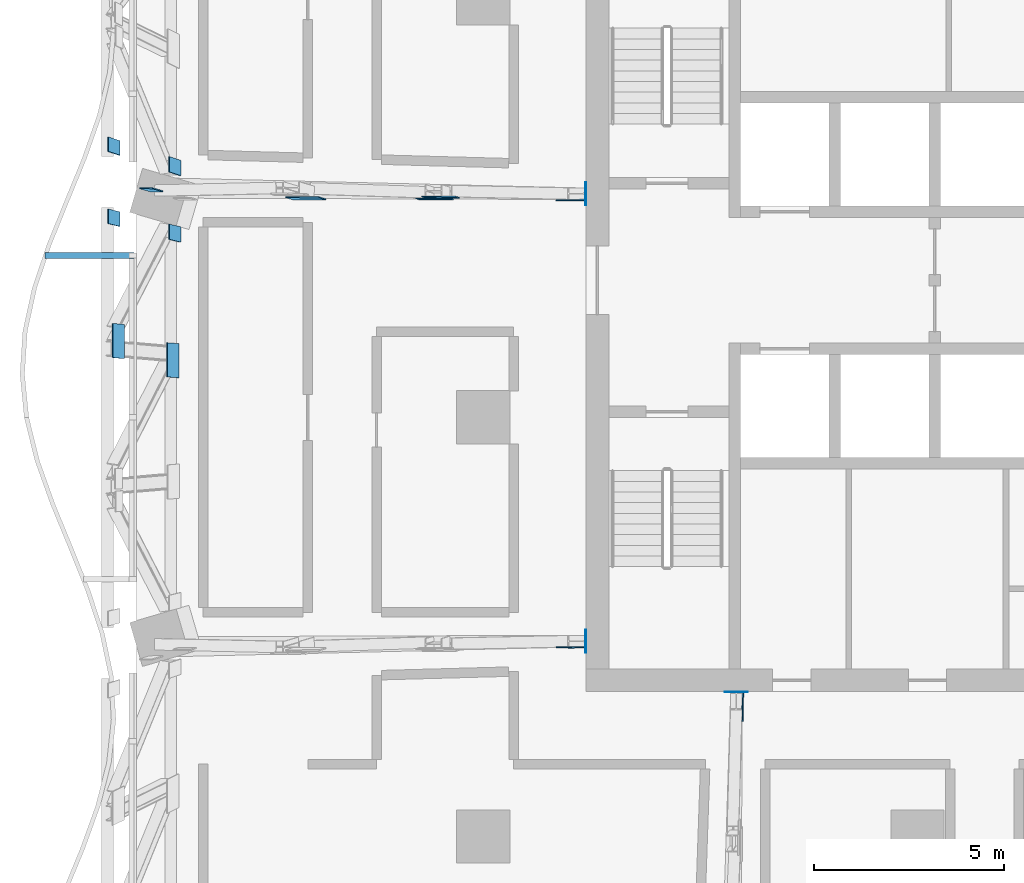
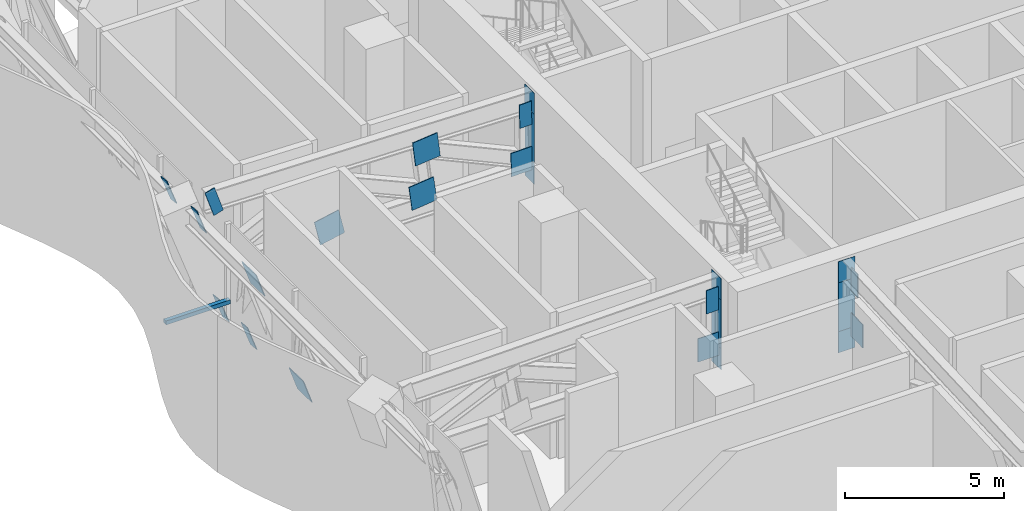
# One storey, part 13 of 26: 26 discrete accessories.
"""IFC4 building model written with IfcOpenShell, lengths in metres."""

from ifc_helpers import new_model, si_unit, direction, frame, origin, origin_2d, place, context, subcontext, project, spatial, rectangle, extrude, material, layer, layer_set, type_object, element, save


model = new_model("IFC4")

# Units and contexts
model_context = context("Model", 3, precision=1e-05, world=origin(), true_north=direction((0.0, 1.0)))
body_context = subcontext(model_context, "Body", "Model", "MODEL_VIEW")
ifc_project = project(units=[si_unit("LENGTHUNIT", "METRE"), si_unit("AREAUNIT", "SQUARE_METRE"), si_unit("VOLUMEUNIT", "CUBIC_METRE"), si_unit("PLANEANGLEUNIT", "RADIAN"), si_unit("MASSUNIT", "GRAM", prefix="KILO")], contexts=[model_context])

# Site, building, storey
site_placement = place(None, origin())
site = spatial("IfcSite", under=ifc_project, at=site_placement, CompositionType="ELEMENT")
building_placement = place(site_placement, origin())
building = spatial("IfcBuilding", under=site, at=building_placement, Name="Mopane Tessera Tower", CompositionType="ELEMENT")
storey_placement = place(building_placement, frame((0.0, 0.0, 205.0)))
storey = spatial("IfcBuildingStorey", under=building, at=storey_placement, Name="L43", CompositionType="ELEMENT", Elevation=205.0)

# Discrete accessories
ifc_material_1 = material(Name="Structural steel S460", Category="steel")
ifc_layer_1 = layer(ifc_material_1, 0.014892578125)
ifc_layer_set_1 = layer_set([ifc_layer_1], Name="Structural steel S460")
discrete_accessory_type_1 = type_object("IfcDiscreteAccessoryType", Name="Cast-in anchor plate 15 mm", PredefinedType="ANCHORPLATE", material=ifc_layer_set_1)
discrete_accessory_1_placement = place(storey_placement, frame((-14.407470703125, 5.870849609375, 2.10009765625), z_axis=(0.0, 0.0, 1.0), x_axis=(-1.0, 0.0, 0.0)))
element("IfcDiscreteAccessory", 1, at=discrete_accessory_1_placement, inside=storey, type_object=discrete_accessory_type_1, Name="Cast-in anchor plate s ot L43 W1 b", PredefinedType="ANCHORPLATE", context=body_context, shape_type="SweptSolid", body=[
    extrude(rectangle(XDim=0.014892578125, YDim=0.60302734375, at=origin_2d()), origin(), (0.0, 0.0, 1.0), 0.81396484375),
])
discrete_accessory_2_placement = place(storey_placement, frame((-14.407470703125, 5.871337890625, 4.785888671875), z_axis=(0.0, 0.0, 1.0), x_axis=(-1.0, 0.0, 0.0)))
element("IfcDiscreteAccessory", 2, at=discrete_accessory_2_placement, inside=storey, type_object=discrete_accessory_type_1, Name="Cast-in anchor plate s ot L43 W1 t", PredefinedType="ANCHORPLATE", context=body_context, shape_type="SweptSolid", body=[
    extrude(rectangle(XDim=0.014892578125, YDim=0.60302734375, at=origin_2d()), origin(), (0.0, 0.0, 1.0), 0.814208984375),
])
discrete_accessory_3_placement = place(storey_placement, frame((-14.407470703125, 5.87109375, 2.9140625), z_axis=(0.0, 0.0, 1.0), x_axis=(-1.0, 0.0, 0.0)))
element("IfcDiscreteAccessory", 3, at=discrete_accessory_3_placement, inside=storey, type_object=discrete_accessory_type_1, Name="Cast-in anchor plate s ot L43 W1 p", PredefinedType="ANCHORPLATE", context=body_context, shape_type="SweptSolid", body=[
    extrude(rectangle(XDim=0.014892578125, YDim=0.60302734375, at=origin_2d()), origin(), (0.0, 0.0, 1.0), 1.871826171875),
])
discrete_accessory_4_placement = place(storey_placement, frame((-14.407470703125, -5.870849609375, 2.10009765625), z_axis=(0.0, 0.0, 1.0), x_axis=(-1.0, 0.0, 0.0)))
element("IfcDiscreteAccessory", 4, at=discrete_accessory_4_placement, inside=storey, type_object=discrete_accessory_type_1, Name="Cast-in anchor plate s ot L43 W2 b", PredefinedType="ANCHORPLATE", context=body_context, shape_type="SweptSolid", body=[
    extrude(rectangle(XDim=0.014892578125, YDim=0.60302734375, at=origin_2d()), origin(), (0.0, 0.0, 1.0), 0.81396484375),
])
discrete_accessory_5_placement = place(storey_placement, frame((-14.407470703125, -5.871337890625, 4.785888671875), z_axis=(0.0, 0.0, 1.0), x_axis=(-1.0, 0.0, 0.0)))
element("IfcDiscreteAccessory", 5, at=discrete_accessory_5_placement, inside=storey, type_object=discrete_accessory_type_1, Name="Cast-in anchor plate s ot L43 W2 t", PredefinedType="ANCHORPLATE", context=body_context, shape_type="SweptSolid", body=[
    extrude(rectangle(XDim=0.014892578125, YDim=0.60302734375, at=origin_2d()), origin(), (0.0, 0.0, 1.0), 0.814208984375),
])
discrete_accessory_6_placement = place(storey_placement, frame((-14.407470703125, -5.87109375, 2.9140625), z_axis=(0.0, 0.0, 1.0), x_axis=(-1.0, 0.0, 0.0)))
element("IfcDiscreteAccessory", 6, at=discrete_accessory_6_placement, inside=storey, type_object=discrete_accessory_type_1, Name="Cast-in anchor plate s ot L43 W2 p", PredefinedType="ANCHORPLATE", context=body_context, shape_type="SweptSolid", body=[
    extrude(rectangle(XDim=0.014892578125, YDim=0.60302734375, at=origin_2d()), origin(), (0.0, 0.0, 1.0), 1.871826171875),
])
discrete_accessory_7_placement = place(storey_placement, frame((-10.4501953125, -7.20751953125, 2.10009765625), z_axis=(0.0, 0.0, 1.0), x_axis=(0.0, -1.0, 0.0)))
element("IfcDiscreteAccessory", 7, at=discrete_accessory_7_placement, inside=storey, type_object=discrete_accessory_type_1, Name="Cast-in anchor plate s ot L43 S1 b", PredefinedType="ANCHORPLATE", context=body_context, shape_type="SweptSolid", body=[
    extrude(rectangle(XDim=0.014892578125, YDim=0.60302734375, at=origin_2d()), origin(), (0.0, 0.0, 1.0), 0.81396484375),
])
discrete_accessory_8_placement = place(storey_placement, frame((-10.45068359375, -7.20751953125, 4.785888671875), z_axis=(0.0, 0.0, 1.0), x_axis=(0.0, -1.0, 0.0)))
element("IfcDiscreteAccessory", 8, at=discrete_accessory_8_placement, inside=storey, type_object=discrete_accessory_type_1, Name="Cast-in anchor plate s ot L43 S1 t", PredefinedType="ANCHORPLATE", context=body_context, shape_type="SweptSolid", body=[
    extrude(rectangle(XDim=0.014892578125, YDim=0.60302734375, at=origin_2d()), origin(), (0.0, 0.0, 1.0), 0.814208984375),
])
discrete_accessory_9_placement = place(storey_placement, frame((-10.450439453125, -7.20751953125, 2.9140625), z_axis=(0.0, 0.0, 1.0), x_axis=(0.0, -1.0, 0.0)))
element("IfcDiscreteAccessory", 9, at=discrete_accessory_9_placement, inside=storey, type_object=discrete_accessory_type_1, Name="Cast-in anchor plate s ot L43 S1 p", PredefinedType="ANCHORPLATE", context=body_context, shape_type="SweptSolid", body=[
    extrude(rectangle(XDim=0.014892578125, YDim=0.60302734375, at=origin_2d()), origin(), (0.0, 0.0, 1.0), 1.871826171875),
])
ifc_material_2 = material(Name="Stainless steel S316", Category="steel")
discrete_accessory_type_2 = type_object("IfcDiscreteAccessoryType", Name="Louvre bracket 150 x 150", PredefinedType="BRACKET", material=ifc_material_2)
discrete_accessory_10_placement = place(storey_placement, frame((-27.429931640625, 4.25, 2.51513671875), z_axis=(0.0, 0.0, 1.0), x_axis=(-1.0, 0.0, 0.0)))
element("IfcDiscreteAccessory", 10, at=discrete_accessory_10_placement, inside=storey, type_object=discrete_accessory_type_2, Name="e:lv:L43:W:0:br1", PredefinedType="BRACKET", context=body_context, shape_type="SweptSolid", body=[
    extrude(rectangle(XDim=2.340087890625, YDim=0.14990234375, at=origin_2d()), origin(), (0.0, 0.0, 1.0), 0.14990234375),
])
ifc_material_3 = material(Name="Structural steel S460", Category="steel")
ifc_layer_2 = layer(ifc_material_3, 0.030029296875)
ifc_layer_set_2 = layer_set([ifc_layer_2], Name="Structural steel S460")
discrete_accessory_type_3 = type_object("IfcDiscreteAccessoryType", Name="Truss node plate 30 mm", PredefinedType="BRACKET", material=ifc_layer_set_2)
discrete_accessory_11_placement = place(storey_placement, frame((-14.800048828125, 5.7060546875, 2.5908203125), z_axis=(-0.01166490682, 0.003255322834, 0.999926663722), x_axis=(0.008172068374, -0.999960994065, 0.003350768006)))
element("IfcDiscreteAccessory", 11, at=discrete_accessory_11_placement, inside=storey, type_object=discrete_accessory_type_3, Name="Truss node plate s ot L43 W1 0", PredefinedType="BRACKET", context=body_context, shape_type="SweptSolid", body=[
    extrude(rectangle(XDim=0.030029296875, YDim=0.75732421875, at=origin_2d()), origin(), (0.0, 0.0, 1.0), 0.89990234375),
])
discrete_accessory_12_placement = place(storey_placement, frame((-14.653076171875, 5.708984375, 4.3359375), z_axis=(-0.007051615597, 0.001898511891, 0.99997333483), x_axis=(0.017346857651, -0.999847490224, 0.002020599601)))
element("IfcDiscreteAccessory", 12, at=discrete_accessory_12_placement, inside=storey, type_object=discrete_accessory_type_3, Name="Truss node plate s ot L43 W1 1", PredefinedType="BRACKET", context=body_context, shape_type="SweptSolid", body=[
    extrude(rectangle(XDim=0.030029296875, YDim=0.43994140625, at=origin_2d()), origin(), (0.0, 0.0, 1.0), 0.900146484375),
])
discrete_accessory_13_placement = place(storey_placement, frame((-18.172119140625, 5.767822265625, 4.209228515625), z_axis=(-0.102503292286, 0.029941751168, 0.994281935171), x_axis=(-0.006871200588, -0.99954434901, 0.029391852012)))
element("IfcDiscreteAccessory", 13, at=discrete_accessory_13_placement, inside=storey, type_object=discrete_accessory_type_3, Name="Truss node plate s ot L43 W1 2", PredefinedType="BRACKET", context=body_context, shape_type="SweptSolid", body=[
    extrude(rectangle(XDim=0.030029296875, YDim=0.89990234375, at=origin_2d()), origin(), (0.0, 0.0, 1.0), 0.905029296875),
])
discrete_accessory_14_placement = place(storey_placement, frame((-18.323486328125, 5.720458984375, 2.5908203125), z_axis=(-0.111290579422, 0.032336245837, 0.993261684622), x_axis=(-0.005989638828, -0.999474158771, 0.031867384215)))
element("IfcDiscreteAccessory", 14, at=discrete_accessory_14_placement, inside=storey, type_object=discrete_accessory_type_3, Name="Truss node plate s ot L43 W1 3", PredefinedType="BRACKET", context=body_context, shape_type="SweptSolid", body=[
    extrude(rectangle(XDim=0.030029296875, YDim=0.89990234375, at=origin_2d()), origin(), (0.0, 0.0, 1.0), 0.906005859375),
])
discrete_accessory_15_placement = place(storey_placement, frame((-21.661376953125, 5.7265625, 2.464111328125), z_axis=(-0.203361293335, 0.059391042643, 0.977300817777), x_axis=(-0.015744633972, -0.998227873633, 0.057386573369)))
element("IfcDiscreteAccessory", 15, at=discrete_accessory_15_placement, inside=storey, type_object=discrete_accessory_type_3, Name="Truss node plate s ot L43 W1 5", PredefinedType="BRACKET", context=body_context, shape_type="SweptSolid", body=[
    extrude(rectangle(XDim=0.030029296875, YDim=0.89990234375, at=origin_2d()), origin(), (0.0, 0.0, 1.0), 0.9208984375),
])
discrete_accessory_16_placement = place(storey_placement, frame((-25.6796875, 5.9384765625, 4.742919921875), z_axis=(-0.28938402048, 0.084306694081, 0.953493193486), x_axis=(-0.027373092398, -0.996435311919, 0.079795883182)))
element("IfcDiscreteAccessory", 16, at=discrete_accessory_16_placement, inside=storey, type_object=discrete_accessory_type_3, Name="Truss node plate s ot L43 W1 8", PredefinedType="BRACKET", context=body_context, shape_type="SweptSolid", body=[
    extrude(rectangle(XDim=0.030029296875, YDim=0.35888671875, at=origin_2d()), origin(), (0.0, 0.0, 1.0), 0.944091796875),
])
discrete_accessory_17_placement = place(storey_placement, frame((-14.799072265625, -6.0390625, 2.5908203125), z_axis=(-0.011393665553, -0.003255333015, 0.999929791131), x_axis=(-0.002019256037, -0.999992586844, -0.003278545794)))
element("IfcDiscreteAccessory", 17, at=discrete_accessory_17_placement, inside=storey, type_object=discrete_accessory_type_3, Name="Truss node plate s ot L43 W2 0", PredefinedType="BRACKET", context=body_context, shape_type="SweptSolid", body=[
    extrude(rectangle(XDim=0.030029296875, YDim=0.75732421875, at=origin_2d()), origin(), (0.0, 0.0, 1.0), 0.89990234375),
])
discrete_accessory_18_placement = place(storey_placement, frame((-14.652099609375, -6.041748046875, 4.3359375), z_axis=(-0.00678040859, -0.002169730749, 0.999974658843), x_axis=(0.029355822736, -0.999567084078, -0.001969796882)))
element("IfcDiscreteAccessory", 18, at=discrete_accessory_18_placement, inside=storey, type_object=discrete_accessory_type_3, Name="Truss node plate s ot L43 W2 1", PredefinedType="BRACKET", context=body_context, shape_type="SweptSolid", body=[
    extrude(rectangle(XDim=0.030029296875, YDim=0.43994140625, at=origin_2d()), origin(), (0.0, 0.0, 1.0), 0.900146484375),
])
discrete_accessory_19_placement = place(storey_placement, frame((-10.28564453125, -7.5986328125, 2.591552734375), z_axis=(-0.004339414256, -0.007322761557, 0.999963772667), x_axis=(0.999787049948, -0.020206261131, 0.004190676363)))
element("IfcDiscreteAccessory", 19, at=discrete_accessory_19_placement, inside=storey, type_object=discrete_accessory_type_3, Name="Truss node plate s ot L43 S1 0", PredefinedType="BRACKET", context=body_context, shape_type="SweptSolid", body=[
    extrude(rectangle(XDim=0.030029296875, YDim=0.754150390625, at=origin_2d()), origin(), (0.0, 0.0, 1.0), 0.900146484375),
])
discrete_accessory_20_placement = place(storey_placement, frame((-10.289306640625, -7.44921875, 4.3359375), z_axis=(-0.002712196654, -0.004339514646, 0.999986906215), x_axis=(0.999036355437, -0.04381795065, 0.002519467411)))
element("IfcDiscreteAccessory", 20, at=discrete_accessory_20_placement, inside=storey, type_object=discrete_accessory_type_3, Name="Truss node plate s ot L43 S1 1", PredefinedType="BRACKET", context=body_context, shape_type="SweptSolid", body=[
    extrude(rectangle(XDim=0.030029296875, YDim=0.43994140625, at=origin_2d()), origin(), (0.0, 0.0, 1.0), 0.900146484375),
])
discrete_accessory_21_placement = place(storey_placement, frame((-25.05224609375, 6.5458984375, 0.0595703125), z_axis=(-0.314524621974, 0.105950523594, 0.943317946783), x_axis=(0.949249268505, 0.034794396489, 0.312594267728)))
element("IfcDiscreteAccessory", 21, at=discrete_accessory_21_placement, inside=storey, type_object=discrete_accessory_type_3, Name="Truss node plate s bt L43 W0-W1 7", PredefinedType="BRACKET", context=body_context, shape_type="SweptSolid", body=[
    extrude(rectangle(XDim=0.030029296875, YDim=0.406494140625, at=origin_2d()), origin(), (0.0, 0.0, 1.0), 0.953857421875),
])
discrete_accessory_22_placement = place(storey_placement, frame((-26.645751953125, 7.07080078125, 4.840087890625), z_axis=(-0.314533140282, 0.105697466995, 0.943343494776), x_axis=(0.949246490995, 0.034965575917, 0.312583601351)))
element("IfcDiscreteAccessory", 22, at=discrete_accessory_22_placement, inside=storey, type_object=discrete_accessory_type_3, Name="Truss node plate s bt L43 W0-W1 8", PredefinedType="BRACKET", context=body_context, shape_type="SweptSolid", body=[
    extrude(rectangle(XDim=0.030029296875, YDim=0.38525390625, at=origin_2d()), origin(), (0.0, 0.0, 1.0), 0.953857421875),
])
discrete_accessory_23_placement = place(storey_placement, frame((-25.052978515625, 4.800537109375, 0.061279296875), z_axis=(-0.31511647287, 0.077752680195, 0.945862637622), x_axis=(0.949053004548, 0.02587473947, 0.314052372091)))
element("IfcDiscreteAccessory", 23, at=discrete_accessory_23_placement, inside=storey, type_object=discrete_accessory_type_3, Name="Truss node plate s bt L43 W1-W2 0", PredefinedType="BRACKET", context=body_context, shape_type="SweptSolid", body=[
    extrude(rectangle(XDim=0.030029296875, YDim=0.404052734375, at=origin_2d()), origin(), (0.0, 0.0, 1.0), 0.951416015625),
])
discrete_accessory_24_placement = place(storey_placement, frame((-26.645751953125, 5.20361328125, 4.840087890625), z_axis=(-0.315341272413, 0.078001421329, 0.945767233617), x_axis=(0.948978331529, 0.025824420205, 0.314282079682)))
element("IfcDiscreteAccessory", 24, at=discrete_accessory_24_placement, inside=storey, type_object=discrete_accessory_type_3, Name="Truss node plate s bt L43 W1-W2 1", PredefinedType="BRACKET", context=body_context, shape_type="SweptSolid", body=[
    extrude(rectangle(XDim=0.030029296875, YDim=0.38525390625, at=origin_2d()), origin(), (0.0, 0.0, 1.0), 0.951416015625),
])
for number, where, z_axis, x_axis, name in (
    (25, (-26.527099609375, 1.990234375, 4.48388671875), (-0.316161670472, 0.030098385228, 0.948227760262), (0.948705322899, 0.009933752128, 0.316005586773), "Truss node plate s bt L43 W1-W2 2"),
    (26, (-25.103271484375, 1.488525390625, 0.21240234375), (-0.316212452356, 0.024185492694, 0.948380064593), (0.948688389595, 0.007896719165, 0.316113873904), "Truss node plate s bt L43 W1-W2 3"),
):
    element("IfcDiscreteAccessory", number, at=place(storey_placement, frame(where, z_axis=z_axis, x_axis=x_axis)), inside=storey, type_object=discrete_accessory_type_3, Name=name, PredefinedType="BRACKET", context=body_context, shape_type="SweptSolid", body=[
        extrude(rectangle(XDim=0.030029296875, YDim=0.89990234375, at=origin_2d()), origin(), (0.0, 0.0, 1.0), 0.948974609375),
    ])

save(model, "model.ifc")
